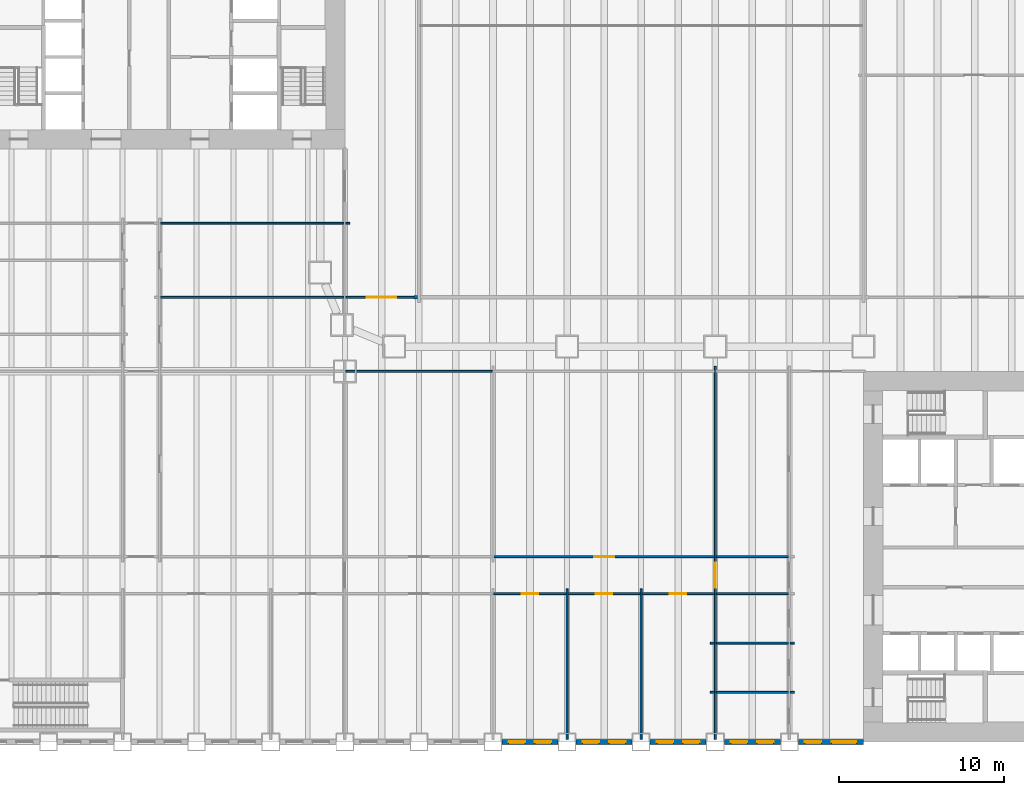
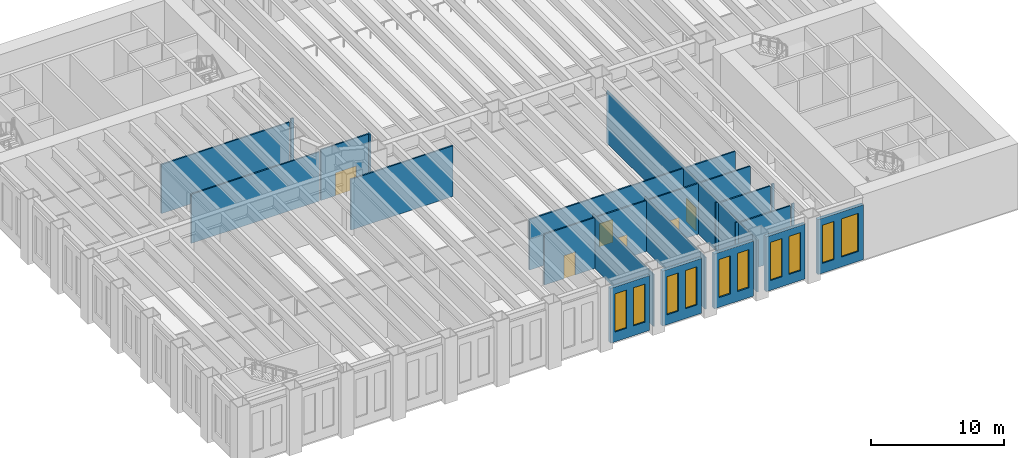
# One storey, part 8 of 19: 26 walls, 10 windows, 6 doors, 16 openings.
"""IFC4 building model written with IfcOpenShell, lengths in metres."""

from ifc_helpers import new_model, si_unit, direction, frame, frame_2d, origin, place, context, subcontext, project, spatial, rectangle, extrude, material, layer, layer_set, type_object, element, fill, save


model = new_model("IFC4")

# Units and contexts
model_context = context("Model", 3, precision=1e-05, world=origin(), true_north=direction((0.0, 1.0)))
body_context = subcontext(model_context, "Body", "Model", "MODEL_VIEW")
ifc_project = project(units=[si_unit("LENGTHUNIT", "METRE"), si_unit("AREAUNIT", "SQUARE_METRE"), si_unit("VOLUMEUNIT", "CUBIC_METRE"), si_unit("PLANEANGLEUNIT", "RADIAN"), si_unit("MASSUNIT", "GRAM", prefix="KILO")], contexts=[model_context])

# Site, building, storey
site_placement = place(None, origin())
site = spatial("IfcSite", under=ifc_project, at=site_placement, CompositionType="ELEMENT")
building_placement = place(site_placement, origin())
building = spatial("IfcBuilding", under=site, at=building_placement, Name="Sennacour Bend Tower", CompositionType="ELEMENT")
storey_placement = place(building_placement, frame((0.0, 0.0, 8.0)))
storey = spatial("IfcBuildingStorey", under=building, at=storey_placement, Name="L01", CompositionType="ELEMENT", Elevation=8.0)

# Walls
ifc_material_1 = material(Name="Plasterboard partition on steel studs", Category="steel")
ifc_layer_1 = layer(ifc_material_1, 0.1201171875, Name="Plasterboard partition on steel studs", Category="steel")
ifc_layer_set_1 = layer_set([ifc_layer_1], Name="Plasterboard partition on steel studs")
wall_type_1 = type_object("IfcWallType", Name="Partition 120", PredefinedType="PARTITIONING", material=ifc_layer_set_1)
for number, where, z_axis, x_axis, name in (
    (1, (36.0, 0.14990234375, 0.0), (0.0, 0.0, 1.0), (0.0, 1.0, 0.0), "P-L01-W025a"),
    (2, (40.5, 0.14990234375, 0.0), (0.0, 0.0, 1.0), (0.0, 1.0, 0.0), "P-L01-W026a"),
):
    element("IfcWall", number, at=place(storey_placement, frame(where, z_axis=z_axis, x_axis=x_axis)), inside=storey, type_object=wall_type_1, Name=name, PredefinedType="PARTITIONING", context=body_context, shape_type="SweptSolid", body=[
        extrude(rectangle(XDim=9.150146484375, YDim=0.1201171875, at=frame_2d((4.5751953125, 0.0))), origin(), (0.0, 0.0, 1.0), 4.7587890625),
    ])
wall_1_placement = place(storey_placement, frame((44.699951171875, 3.0, 0.0), z_axis=(0.0, 0.0, 1.0), x_axis=(1.0, 0.0, 0.0)))
element("IfcWall", 3, at=wall_1_placement, inside=storey, type_object=wall_type_1, Name="P-L01-W044aa", PredefinedType="PARTITIONING", context=body_context, shape_type="SweptSolid", body=[
    extrude(rectangle(XDim=0.239990234375, YDim=0.1201171875, at=frame_2d((0.1201171875, 0.0))), origin(), (0.0, 0.0, 1.0), 4.7587890625),
])
wall_2_placement = place(storey_placement, frame((45.06005859375, 3.0, 0.0), z_axis=(0.0, 0.0, 1.0), x_axis=(1.0, 0.0, 0.0)))
element("IfcWall", 4, at=wall_2_placement, inside=storey, type_object=wall_type_1, Name="P-L01-W044ab", PredefinedType="PARTITIONING", context=body_context, shape_type="SweptSolid", body=[
    extrude(rectangle(XDim=4.3798828125, YDim=0.1201171875, at=frame_2d((2.18994140625, 0.0))), origin(), (0.0, 0.0, 1.0), 4.66015625),
])
for number, where, z_axis, x_axis, name in (
    (5, (49.56005859375, 3.0, 0.0), (0.0, 0.0, 1.0), (1.0, 0.0, 0.0), "P-L01-W044ac"),
    (6, (44.699951171875, 6.0, 0.0), (0.0, 0.0, 1.0), (1.0, 0.0, 0.0), "P-L01-W049aa"),
):
    element("IfcWall", number, at=place(storey_placement, frame(where, z_axis=z_axis, x_axis=x_axis)), inside=storey, type_object=wall_type_1, Name=name, PredefinedType="PARTITIONING", context=body_context, shape_type="SweptSolid", body=[
        extrude(rectangle(XDim=0.239990234375, YDim=0.1201171875, at=frame_2d((0.1201171875, 0.0))), origin(), (0.0, 0.0, 1.0), 4.7587890625),
    ])
wall_3_placement = place(storey_placement, frame((45.06005859375, 6.0, 0.0), z_axis=(0.0, 0.0, 1.0), x_axis=(1.0, 0.0, 0.0)))
element("IfcWall", 7, at=wall_3_placement, inside=storey, type_object=wall_type_1, Name="P-L01-W049ab", PredefinedType="PARTITIONING", context=body_context, shape_type="SweptSolid", body=[
    extrude(rectangle(XDim=4.3798828125, YDim=0.1201171875, at=frame_2d((2.18994140625, 0.0))), origin(), (0.0, 0.0, 1.0), 4.66015625),
])
wall_4_placement = place(storey_placement, frame((49.56005859375, 6.0, 0.0), z_axis=(0.0, 0.0, 1.0), x_axis=(1.0, 0.0, 0.0)))
element("IfcWall", 8, at=wall_4_placement, inside=storey, type_object=wall_type_1, Name="P-L01-W049ac", PredefinedType="PARTITIONING", context=body_context, shape_type="SweptSolid", body=[
    extrude(rectangle(XDim=0.239990234375, YDim=0.1201171875, at=frame_2d((0.1201171875, 0.0))), origin(), (0.0, 0.0, 1.0), 4.7587890625),
])

# Wall, opening, door
wall_5_placement = place(storey_placement, frame((31.56005859375, 9.0, 0.0), z_axis=(0.0, 0.0, 1.0), x_axis=(1.0, 0.0, 0.0)))
wall_5 = element("IfcWall", 9, at=wall_5_placement, inside=storey, type_object=wall_type_1, Name="P-L01-W051ae", PredefinedType="PARTITIONING", context=body_context, shape_type="SweptSolid", body=[
    extrude(rectangle(XDim=4.3798828125, YDim=0.1201171875, at=frame_2d((2.18994140625, 0.0))), origin(), (0.0, 0.0, 1.0), 4.66015625),
])
opening_1_placement = place(wall_5_placement, frame((1.68994140625, 0.0, 0.0)))
opening_1 = element("IfcOpeningElement", 10, at=opening_1_placement, cuts=wall_5, Name="Opening OD2", PredefinedType="OPENING", context=body_context, shape_type="SweptSolid", body=[
    extrude(rectangle(XDim=1.0, YDim=2.10009765625, at=frame_2d((0.5, 1.050048828125))), frame((0.0, 0.070068359375, 0.0), z_axis=(0.0, -1.0, 0.0), x_axis=(1.0, 0.0, 0.0)), (0.0, 0.0, 1.0), 0.14013671875),
])
ifc_material_2 = material(Name="Timber", Category="wood")
door_type_1 = type_object("IfcDoorType", Name="DR-OFFICE-1000", OperationType="NOTDEFINED", PredefinedType="DOOR", material=ifc_material_2)
door_1_placement = place(opening_1_placement, origin())
door_1 = element("IfcDoor", 11, at=door_1_placement, inside=storey, type_object=door_type_1, Name="Door", OperationType="SINGLE_SWING_LEFT", OverallHeight=2.10009765625, OverallWidth=1.0, PredefinedType="DOOR", context=body_context, shape_type="SweptSolid", body=[
    extrude(rectangle(XDim=1.0, YDim=2.10009765625, at=frame_2d((0.5, 1.050048828125))), frame((0.0, 0.02490234375, 0.0), z_axis=(0.0, -1.0, 0.0), x_axis=(1.0, 0.0, 0.0)), (0.0, 0.0, 1.0), 0.050048828125),
])
fill(opening_1, door_1)

wall_6_placement = place(storey_placement, frame((36.06005859375, 9.0, 0.0), z_axis=(0.0, 0.0, 1.0), x_axis=(1.0, 0.0, 0.0)))
wall_6 = element("IfcWall", 12, at=wall_6_placement, inside=storey, type_object=wall_type_1, Name="P-L01-W051af", PredefinedType="PARTITIONING", context=body_context, shape_type="SweptSolid", body=[
    extrude(rectangle(XDim=4.3798828125, YDim=0.1201171875, at=frame_2d((2.18994140625, 0.0))), origin(), (0.0, 0.0, 1.0), 4.66015625),
])
opening_2_placement = place(wall_6_placement, frame((1.68994140625, 0.0, 0.0)))
opening_2 = element("IfcOpeningElement", 13, at=opening_2_placement, cuts=wall_6, Name="Opening OD2", PredefinedType="OPENING", context=body_context, shape_type="SweptSolid", body=[
    extrude(rectangle(XDim=1.0, YDim=2.10009765625, at=frame_2d((0.5, 1.050048828125))), frame((0.0, 0.070068359375, 0.0), z_axis=(0.0, -1.0, 0.0), x_axis=(1.0, 0.0, 0.0)), (0.0, 0.0, 1.0), 0.14013671875),
])
door_2_placement = place(opening_2_placement, origin())
door_2 = element("IfcDoor", 14, at=door_2_placement, inside=storey, type_object=door_type_1, Name="Door", OperationType="SINGLE_SWING_LEFT", OverallHeight=2.10009765625, OverallWidth=1.0, PredefinedType="DOOR", context=body_context, shape_type="SweptSolid", body=[
    extrude(rectangle(XDim=1.0, YDim=2.10009765625, at=frame_2d((0.5, 1.050048828125))), frame((0.0, 0.02490234375, 0.0), z_axis=(0.0, -1.0, 0.0), x_axis=(1.0, 0.0, 0.0)), (0.0, 0.0, 1.0), 0.050048828125),
])
fill(opening_2, door_2)

wall_7_placement = place(storey_placement, frame((40.56005859375, 9.0, 0.0), z_axis=(0.0, 0.0, 1.0), x_axis=(1.0, 0.0, 0.0)))
wall_7 = element("IfcWall", 15, at=wall_7_placement, inside=storey, type_object=wall_type_1, Name="P-L01-W051ag", PredefinedType="PARTITIONING", context=body_context, shape_type="SweptSolid", body=[
    extrude(rectangle(XDim=4.3798828125, YDim=0.1201171875, at=frame_2d((2.18994140625, 0.0))), origin(), (0.0, 0.0, 1.0), 4.66015625),
])
opening_3_placement = place(wall_7_placement, frame((1.68994140625, 0.0, 0.0)))
opening_3 = element("IfcOpeningElement", 16, at=opening_3_placement, cuts=wall_7, Name="Opening OD2", PredefinedType="OPENING", context=body_context, shape_type="SweptSolid", body=[
    extrude(rectangle(XDim=1.0, YDim=2.10009765625, at=frame_2d((0.5, 1.050048828125))), frame((0.0, 0.070068359375, 0.0), z_axis=(0.0, -1.0, 0.0), x_axis=(1.0, 0.0, 0.0)), (0.0, 0.0, 1.0), 0.14013671875),
])
door_3_placement = place(opening_3_placement, origin())
door_3 = element("IfcDoor", 17, at=door_3_placement, inside=storey, type_object=door_type_1, Name="Door", OperationType="SINGLE_SWING_LEFT", OverallHeight=2.10009765625, OverallWidth=1.0, PredefinedType="DOOR", context=body_context, shape_type="SweptSolid", body=[
    extrude(rectangle(XDim=1.0, YDim=2.10009765625, at=frame_2d((0.5, 1.050048828125))), frame((0.0, 0.02490234375, 0.0), z_axis=(0.0, -1.0, 0.0), x_axis=(1.0, 0.0, 0.0)), (0.0, 0.0, 1.0), 0.050048828125),
])
fill(opening_3, door_3)

# Wall
wall_8_placement = place(storey_placement, frame((45.06005859375, 9.0, 0.0), z_axis=(0.0, 0.0, 1.0), x_axis=(1.0, 0.0, 0.0)))
element("IfcWall", 18, at=wall_8_placement, inside=storey, type_object=wall_type_1, Name="P-L01-W051ah", PredefinedType="PARTITIONING", context=body_context, shape_type="SweptSolid", body=[
    extrude(rectangle(XDim=4.3798828125, YDim=0.1201171875, at=frame_2d((2.18994140625, 0.0))), origin(), (0.0, 0.0, 1.0), 4.66015625),
])

# Wall, opening, door
wall_9_placement = place(storey_placement, frame((31.56005859375, 11.25, 0.0), z_axis=(0.0, 0.0, 1.0), x_axis=(1.0, 0.0, 0.0)))
wall_9 = element("IfcWall", 19, at=wall_9_placement, inside=storey, type_object=wall_type_1, Name="P-L01-W053ae", PredefinedType="PARTITIONING", context=body_context, shape_type="SweptSolid", body=[
    extrude(rectangle(XDim=13.3798828125, YDim=0.1201171875, at=frame_2d((6.68994140625, 0.0))), origin(), (0.0, 0.0, 1.0), 4.66015625),
])
opening_4_placement = place(wall_9_placement, frame((6.08984375, 0.0, 0.0)))
opening_4 = element("IfcOpeningElement", 20, at=opening_4_placement, cuts=wall_9, Name="Opening OD", PredefinedType="OPENING", context=body_context, shape_type="SweptSolid", body=[
    extrude(rectangle(XDim=1.199951171875, YDim=2.10009765625, at=frame_2d((0.60009765625, 1.050048828125))), frame((0.0, 0.070068359375, 0.0), z_axis=(0.0, -1.0, 0.0), x_axis=(1.0, 0.0, 0.0)), (0.0, 0.0, 1.0), 0.14013671875),
])
door_type_2 = type_object("IfcDoorType", Name="DR-OFFICE-1200", OperationType="NOTDEFINED", PredefinedType="DOOR", material=ifc_material_2)
door_4_placement = place(opening_4_placement, origin())
door_4 = element("IfcDoor", 21, at=door_4_placement, inside=storey, type_object=door_type_2, Name="Door", OperationType="SINGLE_SWING_LEFT", OverallHeight=2.10009765625, OverallWidth=1.199951171875, PredefinedType="DOOR", context=body_context, shape_type="SweptSolid", body=[
    extrude(rectangle(XDim=1.199951171875, YDim=2.10009765625, at=frame_2d((0.60009765625, 1.050048828125))), frame((0.0, 0.02490234375, 0.0), z_axis=(0.0, -1.0, 0.0), x_axis=(1.0, 0.0, 0.0)), (0.0, 0.0, 1.0), 0.050048828125),
])
fill(opening_4, door_4)

# Walls
wall_10_placement = place(storey_placement, frame((45.06005859375, 11.25, 0.0), z_axis=(0.0, 0.0, 1.0), x_axis=(1.0, 0.0, 0.0)))
element("IfcWall", 22, at=wall_10_placement, inside=storey, type_object=wall_type_1, Name="P-L01-W053af", PredefinedType="PARTITIONING", context=body_context, shape_type="SweptSolid", body=[
    extrude(rectangle(XDim=4.3798828125, YDim=0.1201171875, at=frame_2d((2.18994140625, 0.0))), origin(), (0.0, 0.0, 1.0), 4.66015625),
])
wall_11_placement = place(storey_placement, frame((22.56005859375, 22.5, 0.0), z_axis=(0.0, 0.0, 1.0), x_axis=(1.0, 0.0, 0.0)))
element("IfcWall", 23, at=wall_11_placement, inside=storey, type_object=wall_type_1, Name="P-L01-W062ad", PredefinedType="PARTITIONING", context=body_context, shape_type="SweptSolid", body=[
    extrude(rectangle(XDim=8.8798828125, YDim=0.1201171875, at=frame_2d((4.43994140625, 0.0))), origin(), (0.0, 0.0, 1.0), 4.66015625),
])
for number, where, z_axis, x_axis, name in (
    (24, (11.31005859375, 27.0, 0.0), (0.0, 0.0, 1.0), (1.0, 0.0, 0.0), "P-L01-W064ab"),
    (25, (11.31005859375, 31.5, 0.0), (0.0, 0.0, 1.0), (1.0, 0.0, 0.0), "P-L01-W068ac"),
):
    element("IfcWall", number, at=place(storey_placement, frame(where, z_axis=z_axis, x_axis=x_axis)), inside=storey, type_object=wall_type_1, Name=name, PredefinedType="PARTITIONING", context=body_context, shape_type="SweptSolid", body=[
        extrude(rectangle(XDim=11.1298828125, YDim=0.1201171875, at=frame_2d((5.56494140625, 0.0))), origin(), (0.0, 0.0, 1.0), 4.5),
    ])
wall_12_placement = place(storey_placement, frame((22.56005859375, 31.5, 0.0), z_axis=(0.0, 0.0, 1.0), x_axis=(1.0, 0.0, 0.0)))
element("IfcWall", 26, at=wall_12_placement, inside=storey, type_object=wall_type_1, Name="P-L01-W068ad", PredefinedType="PARTITIONING", context=body_context, shape_type="SweptSolid", body=[
    extrude(rectangle(XDim=0.239990234375, YDim=0.1201171875, at=frame_2d((0.1201171875, 0.0))), origin(), (0.0, 0.0, 1.0), 4.7587890625),
])

# Wall, opening, door
ifc_layer_2 = layer(ifc_material_1, 0.1201171875, Name="Plasterboard partition on steel studs", Category="steel")
ifc_layer_set_2 = layer_set([ifc_layer_2], Name="Plasterboard partition on steel studs")
wall_type_2 = type_object("IfcWallType", Name="Partition 120 EI 30", PredefinedType="PARTITIONING", material=ifc_layer_set_2)
wall_13_placement = place(storey_placement, frame((45.0, 0.14990234375, 0.0), z_axis=(0.0, 0.0, 1.0), x_axis=(0.0, 1.0, 0.0)))
wall_13 = element("IfcWall", 27, at=wall_13_placement, inside=storey, type_object=wall_type_2, Name="P-L01-W027a", PredefinedType="PARTITIONING", context=body_context, shape_type="SweptSolid", body=[
    extrude(rectangle(XDim=22.650146484375, YDim=0.1201171875, at=frame_2d((11.3251953125, 0.0))), origin(), (0.0, 0.0, 1.0), 4.7587890625),
])
opening_5_placement = place(wall_13_placement, frame((9.22509765625, 0.0, 0.0)))
opening_5 = element("IfcOpeningElement", 28, at=opening_5_placement, cuts=wall_13, Name="Opening KD", PredefinedType="OPENING", context=body_context, shape_type="SweptSolid", body=[
    extrude(rectangle(XDim=1.5, YDim=2.10009765625, at=frame_2d((0.75, 1.050048828125))), frame((0.0, 0.070068359375, 0.0), z_axis=(0.0, -1.0, 0.0), x_axis=(1.0, 0.0, 0.0)), (0.0, 0.0, 1.0), 0.14013671875),
])
ifc_material_3 = material(Name="Painted steel", Category="steel")
door_type_3 = type_object("IfcDoorType", Name="DR-CORRIDOR-1500", OperationType="NOTDEFINED", PredefinedType="DOOR", material=ifc_material_3)
door_5_placement = place(opening_5_placement, origin())
door_5 = element("IfcDoor", 29, at=door_5_placement, inside=storey, type_object=door_type_3, Name="Door", OperationType="SINGLE_SWING_LEFT", OverallHeight=2.10009765625, OverallWidth=1.5, PredefinedType="DOOR", context=body_context, shape_type="SweptSolid", body=[
    extrude(rectangle(XDim=1.5, YDim=2.10009765625, at=frame_2d((0.75, 1.050048828125))), frame((0.0, 0.02490234375, 0.0), z_axis=(0.0, -1.0, 0.0), x_axis=(1.0, 0.0, 0.0)), (0.0, 0.0, 1.0), 0.050048828125),
])
fill(opening_5, door_5)

ifc_layer_3 = layer(ifc_material_1, 0.1201171875, Name="Plasterboard partition on steel studs", Category="steel")
ifc_layer_set_3 = layer_set([ifc_layer_3], Name="Plasterboard partition on steel studs")
wall_type_3 = type_object("IfcWallType", Name="Partition 120 EI 60", PredefinedType="PARTITIONING", material=ifc_layer_set_3)
wall_14_placement = place(storey_placement, frame((22.56005859375, 27.0, 0.0), z_axis=(0.0, 0.0, 1.0), x_axis=(1.0, 0.0, 0.0)))
wall_14 = element("IfcWall", 30, at=wall_14_placement, inside=storey, type_object=wall_type_3, Name="P-L01-W064ac", PredefinedType="PARTITIONING", context=body_context, shape_type="SweptSolid", body=[
    extrude(rectangle(XDim=4.139892578125, YDim=0.1201171875, at=frame_2d((2.06982421875, 0.0))), origin(), (0.0, 0.0, 1.0), 4.66015625),
])
opening_6_placement = place(wall_14_placement, frame((1.27001953125, 0.0, 0.0)))
opening_6 = element("IfcOpeningElement", 31, at=opening_6_placement, cuts=wall_14, Name="Opening CD", PredefinedType="OPENING", context=body_context, shape_type="SweptSolid", body=[
    extrude(rectangle(XDim=1.800048828125, YDim=2.10009765625, at=frame_2d((0.89990234375, 1.050048828125))), frame((0.0, 0.070068359375, 0.0), z_axis=(0.0, -1.0, 0.0), x_axis=(1.0, 0.0, 0.0)), (0.0, 0.0, 1.0), 0.14013671875),
])
door_type_4 = type_object("IfcDoorType", Name="DR-LOBBY-1800", OperationType="NOTDEFINED", PredefinedType="DOOR", material=ifc_material_3)
door_6_placement = place(opening_6_placement, origin())
door_6 = element("IfcDoor", 32, at=door_6_placement, inside=storey, type_object=door_type_4, Name="Door", OperationType="DOUBLE_DOOR_SINGLE_SWING", OverallHeight=2.10009765625, OverallWidth=1.800048828125, PredefinedType="DOOR", context=body_context, shape_type="SweptSolid", body=[
    extrude(rectangle(XDim=1.800048828125, YDim=2.10009765625, at=frame_2d((0.89990234375, 1.050048828125))), frame((0.0, 0.02490234375, 0.0), z_axis=(0.0, -1.0, 0.0), x_axis=(1.0, 0.0, 0.0)), (0.0, 0.0, 1.0), 0.050048828125),
])
fill(opening_6, door_6)

# Wall
ifc_material_4 = material(Name="Fire-rated plasterboard partition on steel studs", Category="steel")
ifc_layer_4 = layer(ifc_material_4, 0.199951171875, Name="Fire-rated plasterboard partition on steel studs", Category="steel")
ifc_layer_set_4 = layer_set([ifc_layer_4], Name="Fire-rated plasterboard partition on steel studs")
wall_type_4 = type_object("IfcWallType", Name="Rated partition 200", PredefinedType="PARTITIONING", material=ifc_layer_set_4)
wall_15_placement = place(storey_placement, frame((26.699951171875, 27.0, 0.0), z_axis=(0.0, 0.0, 1.0), x_axis=(1.0, 0.0, 0.0)))
element("IfcWall", 33, at=wall_15_placement, inside=storey, type_object=wall_type_4, Name="P-L01-W065aa", PredefinedType="PARTITIONING", context=body_context, shape_type="SweptSolid", body=[
    extrude(rectangle(XDim=0.199951171875, YDim=0.199951171875, at=frame_2d((0.10009765625, 0.0))), origin(), (0.0, 0.0, 1.0), 4.66015625),
])

# Wall, openings, windows
ifc_material_5 = material(Name="Warm limestone cladding", Category="masonry")
ifc_layer_5 = layer(ifc_material_5, 0.050048828125, Name="Warm limestone cladding", Category="masonry")
ifc_material_6 = material(Name="Precast concrete C40/50", Category="concrete")
ifc_layer_6 = layer(ifc_material_6, 0.25, Name="Precast concrete C40/50", Category="concrete")
ifc_layer_set_5 = layer_set([ifc_layer_5, ifc_layer_6], Name="Precast concrete C40/50 with limestone cladding")
wall_type_5 = type_object("IfcWallType", Name="STONE-CLAD PRECAST SPANDREL 300", PredefinedType="STANDARD", material=ifc_layer_set_5)
wall_16_placement = place(storey_placement, frame((32.050048828125, 0.0, 0.0), z_axis=(0.0, 0.0, 1.0), x_axis=(1.0, 0.0, 0.0)))
wall_16 = element("IfcWall", 34, at=wall_16_placement, inside=storey, type_object=wall_type_5, Name="Stone spandrel and pier wall L01 03.07", PredefinedType="STANDARD", context=body_context, shape_type="SweptSolid", body=[
    extrude(rectangle(XDim=3.39990234375, YDim=0.300048828125, at=frame_2d((1.699951171875, 0.0))), origin(), (0.0, 0.0, 1.0), 5.035888671875),
])
opening_7_placement = place(wall_16_placement, frame((0.39990234375, 0.0, 0.89990234375)))
opening_7 = element("IfcOpeningElement", 35, at=opening_7_placement, cuts=wall_16, Name="Opening W1", PredefinedType="OPENING", context=body_context, shape_type="SweptSolid", body=[
    extrude(rectangle(XDim=1.0, YDim=3.5, at=frame_2d((0.5, 1.75))), frame((0.0, 0.16015625, 0.0), z_axis=(0.0, -1.0, 0.0), x_axis=(1.0, 0.0, 0.0)), (0.0, 0.0, 1.0), 0.320068359375),
])
opening_8_placement = place(wall_16_placement, frame((2.0, 0.0, 0.89990234375)))
opening_8 = element("IfcOpeningElement", 36, at=opening_8_placement, cuts=wall_16, Name="Opening W1", PredefinedType="OPENING", context=body_context, shape_type="SweptSolid", body=[
    extrude(rectangle(XDim=1.0, YDim=3.5, at=frame_2d((0.5, 1.75))), frame((0.0, 0.16015625, 0.0), z_axis=(0.0, -1.0, 0.0), x_axis=(1.0, 0.0, 0.0)), (0.0, 0.0, 1.0), 0.320068359375),
])
ifc_material_7 = material(Name="Clear low-emissivity glass", Category="glass")
window_type_1 = type_object("IfcWindowType", Name="WIN-RIBBON-1000x3500", PartitioningType="SINGLE_PANEL", PredefinedType="WINDOW", material=ifc_material_7)
window_1_placement = place(opening_7_placement, origin())
window_1 = element("IfcWindow", 37, at=window_1_placement, inside=storey, type_object=window_type_1, Name="Ribbon window L01 03.07.0", OverallHeight=3.5, OverallWidth=1.0, PartitioningType="SINGLE_PANEL", PredefinedType="WINDOW", context=body_context, shape_type="SweptSolid", body=[
    extrude(rectangle(XDim=1.0, YDim=3.5, at=frame_2d((0.5, 1.75))), frame((0.0, 0.030029296875, 0.0), z_axis=(0.0, -1.0, 0.0), x_axis=(1.0, 0.0, 0.0)), (0.0, 0.0, 1.0), 0.06005859375),
])
fill(opening_7, window_1)
window_2_placement = place(opening_8_placement, origin())
window_2 = element("IfcWindow", 38, at=window_2_placement, inside=storey, type_object=window_type_1, Name="Ribbon window L01 03.07.1", OverallHeight=3.5, OverallWidth=1.0, PartitioningType="SINGLE_PANEL", PredefinedType="WINDOW", context=body_context, shape_type="SweptSolid", body=[
    extrude(rectangle(XDim=1.0, YDim=3.5, at=frame_2d((0.5, 1.75))), frame((0.0, 0.030029296875, 0.0), z_axis=(0.0, -1.0, 0.0), x_axis=(1.0, 0.0, 0.0)), (0.0, 0.0, 1.0), 0.06005859375),
])
fill(opening_8, window_2)

wall_17_placement = place(storey_placement, frame((36.550048828125, 0.0, 0.0), z_axis=(0.0, 0.0, 1.0), x_axis=(1.0, 0.0, 0.0)))
wall_17 = element("IfcWall", 39, at=wall_17_placement, inside=storey, type_object=wall_type_5, Name="Stone spandrel and pier wall L01 03.08", PredefinedType="STANDARD", context=body_context, shape_type="SweptSolid", body=[
    extrude(rectangle(XDim=3.39990234375, YDim=0.300048828125, at=frame_2d((1.699951171875, 0.0))), origin(), (0.0, 0.0, 1.0), 5.035888671875),
])
opening_9_placement = place(wall_17_placement, frame((0.39990234375, 0.0, 0.89990234375)))
opening_9 = element("IfcOpeningElement", 40, at=opening_9_placement, cuts=wall_17, Name="Opening W1", PredefinedType="OPENING", context=body_context, shape_type="SweptSolid", body=[
    extrude(rectangle(XDim=1.0, YDim=3.5, at=frame_2d((0.5, 1.75))), frame((0.0, 0.16015625, 0.0), z_axis=(0.0, -1.0, 0.0), x_axis=(1.0, 0.0, 0.0)), (0.0, 0.0, 1.0), 0.320068359375),
])
opening_10_placement = place(wall_17_placement, frame((2.0, 0.0, 0.89990234375)))
opening_10 = element("IfcOpeningElement", 41, at=opening_10_placement, cuts=wall_17, Name="Opening W1", PredefinedType="OPENING", context=body_context, shape_type="SweptSolid", body=[
    extrude(rectangle(XDim=1.0, YDim=3.5, at=frame_2d((0.5, 1.75))), frame((0.0, 0.16015625, 0.0), z_axis=(0.0, -1.0, 0.0), x_axis=(1.0, 0.0, 0.0)), (0.0, 0.0, 1.0), 0.320068359375),
])
window_3_placement = place(opening_9_placement, origin())
window_3 = element("IfcWindow", 42, at=window_3_placement, inside=storey, type_object=window_type_1, Name="Ribbon window L01 03.08.0", OverallHeight=3.5, OverallWidth=1.0, PartitioningType="SINGLE_PANEL", PredefinedType="WINDOW", context=body_context, shape_type="SweptSolid", body=[
    extrude(rectangle(XDim=1.0, YDim=3.5, at=frame_2d((0.5, 1.75))), frame((0.0, 0.030029296875, 0.0), z_axis=(0.0, -1.0, 0.0), x_axis=(1.0, 0.0, 0.0)), (0.0, 0.0, 1.0), 0.06005859375),
])
fill(opening_9, window_3)
window_4_placement = place(opening_10_placement, origin())
window_4 = element("IfcWindow", 43, at=window_4_placement, inside=storey, type_object=window_type_1, Name="Ribbon window L01 03.08.1", OverallHeight=3.5, OverallWidth=1.0, PartitioningType="SINGLE_PANEL", PredefinedType="WINDOW", context=body_context, shape_type="SweptSolid", body=[
    extrude(rectangle(XDim=1.0, YDim=3.5, at=frame_2d((0.5, 1.75))), frame((0.0, 0.030029296875, 0.0), z_axis=(0.0, -1.0, 0.0), x_axis=(1.0, 0.0, 0.0)), (0.0, 0.0, 1.0), 0.06005859375),
])
fill(opening_10, window_4)

wall_18_placement = place(storey_placement, frame((41.050048828125, 0.0, 0.0), z_axis=(0.0, 0.0, 1.0), x_axis=(1.0, 0.0, 0.0)))
wall_18 = element("IfcWall", 44, at=wall_18_placement, inside=storey, type_object=wall_type_5, Name="Stone spandrel and pier wall L01 03.09", PredefinedType="STANDARD", context=body_context, shape_type="SweptSolid", body=[
    extrude(rectangle(XDim=3.39990234375, YDim=0.300048828125, at=frame_2d((1.699951171875, 0.0))), origin(), (0.0, 0.0, 1.0), 5.035888671875),
])
opening_11_placement = place(wall_18_placement, frame((0.39990234375, 0.0, 0.89990234375)))
opening_11 = element("IfcOpeningElement", 45, at=opening_11_placement, cuts=wall_18, Name="Opening W1", PredefinedType="OPENING", context=body_context, shape_type="SweptSolid", body=[
    extrude(rectangle(XDim=1.0, YDim=3.5, at=frame_2d((0.5, 1.75))), frame((0.0, 0.16015625, 0.0), z_axis=(0.0, -1.0, 0.0), x_axis=(1.0, 0.0, 0.0)), (0.0, 0.0, 1.0), 0.320068359375),
])
opening_12_placement = place(wall_18_placement, frame((2.0, 0.0, 0.89990234375)))
opening_12 = element("IfcOpeningElement", 46, at=opening_12_placement, cuts=wall_18, Name="Opening W1", PredefinedType="OPENING", context=body_context, shape_type="SweptSolid", body=[
    extrude(rectangle(XDim=1.0, YDim=3.5, at=frame_2d((0.5, 1.75))), frame((0.0, 0.16015625, 0.0), z_axis=(0.0, -1.0, 0.0), x_axis=(1.0, 0.0, 0.0)), (0.0, 0.0, 1.0), 0.320068359375),
])
window_5_placement = place(opening_11_placement, origin())
window_5 = element("IfcWindow", 47, at=window_5_placement, inside=storey, type_object=window_type_1, Name="Ribbon window L01 03.09.0", OverallHeight=3.5, OverallWidth=1.0, PartitioningType="SINGLE_PANEL", PredefinedType="WINDOW", context=body_context, shape_type="SweptSolid", body=[
    extrude(rectangle(XDim=1.0, YDim=3.5, at=frame_2d((0.5, 1.75))), frame((0.0, 0.030029296875, 0.0), z_axis=(0.0, -1.0, 0.0), x_axis=(1.0, 0.0, 0.0)), (0.0, 0.0, 1.0), 0.06005859375),
])
fill(opening_11, window_5)
window_6_placement = place(opening_12_placement, origin())
window_6 = element("IfcWindow", 48, at=window_6_placement, inside=storey, type_object=window_type_1, Name="Ribbon window L01 03.09.1", OverallHeight=3.5, OverallWidth=1.0, PartitioningType="SINGLE_PANEL", PredefinedType="WINDOW", context=body_context, shape_type="SweptSolid", body=[
    extrude(rectangle(XDim=1.0, YDim=3.5, at=frame_2d((0.5, 1.75))), frame((0.0, 0.030029296875, 0.0), z_axis=(0.0, -1.0, 0.0), x_axis=(1.0, 0.0, 0.0)), (0.0, 0.0, 1.0), 0.06005859375),
])
fill(opening_12, window_6)

wall_19_placement = place(storey_placement, frame((45.550048828125, 0.0, 0.0), z_axis=(0.0, 0.0, 1.0), x_axis=(1.0, 0.0, 0.0)))
wall_19 = element("IfcWall", 49, at=wall_19_placement, inside=storey, type_object=wall_type_5, Name="Stone spandrel and pier wall L01 03.10", PredefinedType="STANDARD", context=body_context, shape_type="SweptSolid", body=[
    extrude(rectangle(XDim=3.39990234375, YDim=0.300048828125, at=frame_2d((1.699951171875, 0.0))), origin(), (0.0, 0.0, 1.0), 5.035888671875),
])
opening_13_placement = place(wall_19_placement, frame((0.39990234375, 0.0, 0.89990234375)))
opening_13 = element("IfcOpeningElement", 50, at=opening_13_placement, cuts=wall_19, Name="Opening W1", PredefinedType="OPENING", context=body_context, shape_type="SweptSolid", body=[
    extrude(rectangle(XDim=1.0, YDim=3.5, at=frame_2d((0.5, 1.75))), frame((0.0, 0.16015625, 0.0), z_axis=(0.0, -1.0, 0.0), x_axis=(1.0, 0.0, 0.0)), (0.0, 0.0, 1.0), 0.320068359375),
])
opening_14_placement = place(wall_19_placement, frame((2.0, 0.0, 0.89990234375)))
opening_14 = element("IfcOpeningElement", 51, at=opening_14_placement, cuts=wall_19, Name="Opening W1", PredefinedType="OPENING", context=body_context, shape_type="SweptSolid", body=[
    extrude(rectangle(XDim=1.0, YDim=3.5, at=frame_2d((0.5, 1.75))), frame((0.0, 0.16015625, 0.0), z_axis=(0.0, -1.0, 0.0), x_axis=(1.0, 0.0, 0.0)), (0.0, 0.0, 1.0), 0.320068359375),
])
window_7_placement = place(opening_13_placement, origin())
window_7 = element("IfcWindow", 52, at=window_7_placement, inside=storey, type_object=window_type_1, Name="Ribbon window L01 03.10.0", OverallHeight=3.5, OverallWidth=1.0, PartitioningType="SINGLE_PANEL", PredefinedType="WINDOW", context=body_context, shape_type="SweptSolid", body=[
    extrude(rectangle(XDim=1.0, YDim=3.5, at=frame_2d((0.5, 1.75))), frame((0.0, 0.030029296875, 0.0), z_axis=(0.0, -1.0, 0.0), x_axis=(1.0, 0.0, 0.0)), (0.0, 0.0, 1.0), 0.06005859375),
])
fill(opening_13, window_7)
window_8_placement = place(opening_14_placement, origin())
window_8 = element("IfcWindow", 53, at=window_8_placement, inside=storey, type_object=window_type_1, Name="Ribbon window L01 03.10.1", OverallHeight=3.5, OverallWidth=1.0, PartitioningType="SINGLE_PANEL", PredefinedType="WINDOW", context=body_context, shape_type="SweptSolid", body=[
    extrude(rectangle(XDim=1.0, YDim=3.5, at=frame_2d((0.5, 1.75))), frame((0.0, 0.030029296875, 0.0), z_axis=(0.0, -1.0, 0.0), x_axis=(1.0, 0.0, 0.0)), (0.0, 0.0, 1.0), 0.06005859375),
])
fill(opening_14, window_8)

wall_20_placement = place(storey_placement, frame((50.050048828125, 0.0, 0.0), z_axis=(0.0, 0.0, 1.0), x_axis=(1.0, 0.0, 0.0)))
wall_20 = element("IfcWall", 54, at=wall_20_placement, inside=storey, type_object=wall_type_5, Name="Stone spandrel and pier wall L01 03.11", PredefinedType="STANDARD", context=body_context, shape_type="SweptSolid", body=[
    extrude(rectangle(XDim=3.948974609375, YDim=0.300048828125, at=frame_2d((1.974609375, 0.0))), origin(), (0.0, 0.0, 1.0), 5.035888671875),
])
opening_15_placement = place(wall_20_placement, frame((0.39990234375, 0.0, 0.89990234375)))
opening_15 = element("IfcOpeningElement", 55, at=opening_15_placement, cuts=wall_20, Name="Opening W1", PredefinedType="OPENING", context=body_context, shape_type="SweptSolid", body=[
    extrude(rectangle(XDim=1.0, YDim=3.5, at=frame_2d((0.5, 1.75))), frame((0.0, 0.16015625, 0.0), z_axis=(0.0, -1.0, 0.0), x_axis=(1.0, 0.0, 0.0)), (0.0, 0.0, 1.0), 0.320068359375),
])
opening_16_placement = place(wall_20_placement, frame((2.0244140625, 0.0, 0.89990234375)))
opening_16 = element("IfcOpeningElement", 56, at=opening_16_placement, cuts=wall_20, Name="Opening W2", PredefinedType="OPENING", context=body_context, shape_type="SweptSolid", body=[
    extrude(rectangle(XDim=1.5, YDim=3.5, at=frame_2d((0.75, 1.75))), frame((0.0, 0.16015625, 0.0), z_axis=(0.0, -1.0, 0.0), x_axis=(1.0, 0.0, 0.0)), (0.0, 0.0, 1.0), 0.320068359375),
])
window_9_placement = place(opening_15_placement, origin())
window_9 = element("IfcWindow", 57, at=window_9_placement, inside=storey, type_object=window_type_1, Name="Ribbon window L01 03.11.0", OverallHeight=3.5, OverallWidth=1.0, PartitioningType="SINGLE_PANEL", PredefinedType="WINDOW", context=body_context, shape_type="SweptSolid", body=[
    extrude(rectangle(XDim=1.0, YDim=3.5, at=frame_2d((0.5, 1.75))), frame((0.0, 0.030029296875, 0.0), z_axis=(0.0, -1.0, 0.0), x_axis=(1.0, 0.0, 0.0)), (0.0, 0.0, 1.0), 0.06005859375),
])
fill(opening_15, window_9)
window_type_2 = type_object("IfcWindowType", Name="WIN-RIBBON-1500x3500", PartitioningType="SINGLE_PANEL", PredefinedType="WINDOW", material=ifc_material_7)
window_10_placement = place(opening_16_placement, origin())
window_10 = element("IfcWindow", 58, at=window_10_placement, inside=storey, type_object=window_type_2, Name="Ribbon window L01 03.11.1", OverallHeight=3.5, OverallWidth=1.5, PartitioningType="SINGLE_PANEL", PredefinedType="WINDOW", context=body_context, shape_type="SweptSolid", body=[
    extrude(rectangle(XDim=1.5, YDim=3.5, at=frame_2d((0.75, 1.75))), frame((0.0, 0.030029296875, 0.0), z_axis=(0.0, -1.0, 0.0), x_axis=(1.0, 0.0, 0.0)), (0.0, 0.0, 1.0), 0.06005859375),
])
fill(opening_16, window_10)

save(model, "model.ifc")
